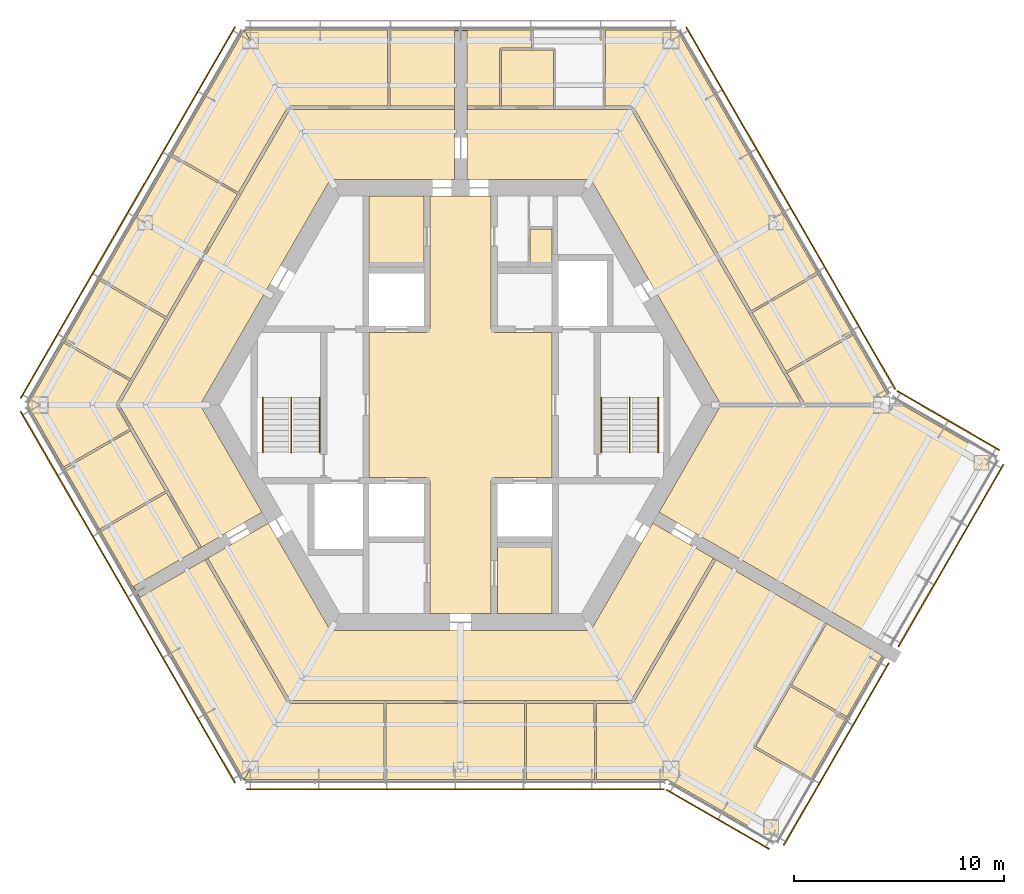
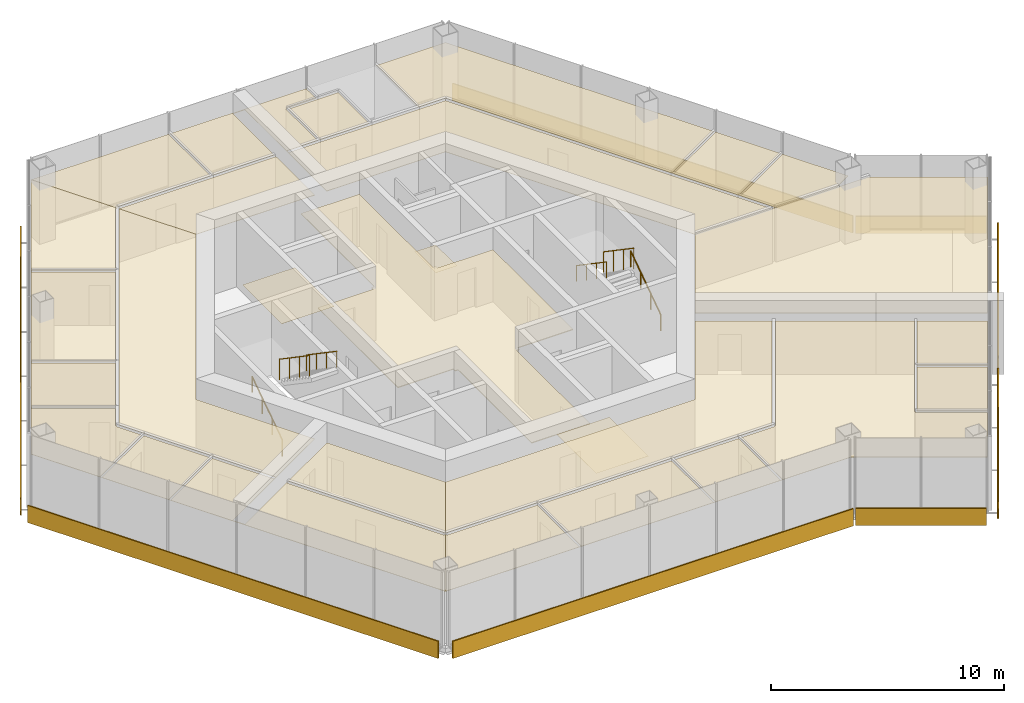
# One storey, part 12 of 13: 30 coverings, 8 shading devices, 6 railings.
"""IFC4 building model written with IfcOpenShell, lengths in metres."""

from ifc_helpers import new_model, si_unit, direction, frame, origin, origin_2d, place, context, subcontext, project, spatial, polyline, rectangle, circle, outline, extrude, material, layer, layer_set, type_object, element, save


model = new_model("IFC4")

# Units and contexts
model_context = context("Model", 3, precision=1e-05, world=origin(), true_north=direction((0.0, 1.0)))
body_context = subcontext(model_context, "Body", "Model", "MODEL_VIEW")
ifc_project = project(units=[si_unit("LENGTHUNIT", "METRE"), si_unit("AREAUNIT", "SQUARE_METRE"), si_unit("VOLUMEUNIT", "CUBIC_METRE"), si_unit("PLANEANGLEUNIT", "RADIAN"), si_unit("MASSUNIT", "GRAM", prefix="KILO")], contexts=[model_context])

# Site, building, storey
site_placement = place(None, origin())
site = spatial("IfcSite", under=ifc_project, at=site_placement, CompositionType="ELEMENT")
building_placement = place(site_placement, origin())
building = spatial("IfcBuilding", under=site, at=building_placement, Name="Kasaneha Research Tower", CompositionType="ELEMENT")
storey_placement = place(building_placement, frame((0.0, 0.0, 290.800048828125)))
storey = spatial("IfcBuildingStorey", under=building, at=storey_placement, Name="L73", CompositionType="ELEMENT", Elevation=290.800048828125)

# Covering
ifc_material_1 = material(Name="Aluminium panel ceiling", Category="aluminium")
ifc_layer_1 = layer(ifc_material_1, 0.0400390625)
ifc_layer_set_1 = layer_set([ifc_layer_1], Name="Lift lobby ceiling 40")
covering_type_1 = type_object("IfcCoveringType", Name="Lift lobby ceiling 40", PredefinedType="CEILING", material=ifc_layer_set_1)
covering_1_placement = place(storey_placement, frame((0.0, 0.0, 2.699951171875)))
element("IfcCovering", 1, at=covering_1_placement, inside=storey, type_object=covering_type_1, Name="Ceiling L73-01", PredefinedType="CEILING", context=body_context, shape_type="SweptSolid", body=[
    extrude(outline(polyline([(1.449951171875, 9.925048828125), (1.449951171875, 3.60009765625), (1.60009765625, 3.60009765625), (1.60009765625, 3.449951171875), (4.35009765625, 3.449951171875), (4.35009765625, -3.449951171875), (1.60009765625, -3.449951171875), (1.60009765625, -3.60009765625), (1.449951171875, -3.60009765625), (1.449951171875, -9.925048828125), (-1.449951171875, -9.925048828125), (-1.449951171875, -3.60009765625), (-1.60009765625, -3.60009765625), (-1.60009765625, -3.449951171875), (-4.35009765625, -3.449951171875), (-4.35009765625, 3.449951171875), (-1.60009765625, 3.449951171875), (-1.60009765625, 3.60009765625), (-1.449951171875, 3.60009765625), (-1.449951171875, 9.925048828125), (1.449951171875, 9.925048828125)])), origin(), (0.0, 0.0, 1.0), 0.0400390625),
])

# Railings
ifc_material_2 = material(Name="Steel", Category="steel")
railing_type_1 = type_object("IfcRailingType", Name="Stair balustrade 1100", PredefinedType="GUARDRAIL", material=ifc_material_2)
for number, where, name in (
    (2, (8.050048828125, 0.35009765625, 2.127197265625), "Stair 1 balustrade L73"),
    (3, (-8.050048828125, 0.35009765625, 2.127197265625), "Stair 2 balustrade L73"),
):
    element("IfcRailing", number, at=place(storey_placement, frame(where)), inside=storey, type_object=railing_type_1, Name=name, PredefinedType="GUARDRAIL", context=body_context, shape_type="SweptSolid", body=[
        extrude(circle(Radius=0.02392578125, at=origin_2d()), frame((0.0, 0.0, 1.076171875), z_axis=(0.0, -0.826240473404, 0.563317565952), x_axis=(1.0, 0.0, 0.0)), (0.0, 0.0, 1.0), 3.14697265625),
        extrude(circle(Radius=0.02099609375, at=origin_2d()), origin(), (0.0, 0.0, 1.0), 1.052001953125),
        extrude(circle(Radius=0.02099609375, at=origin_2d()), frame((0.0, -0.86669921875, 0.5908203125)), (0.0, 0.0, 1.0), 1.052001953125),
        extrude(circle(Radius=0.02099609375, at=origin_2d()), frame((0.0, -1.7333984375, 1.181884765625)), (0.0, 0.0, 1.0), 1.052001953125),
        extrude(circle(Radius=0.02099609375, at=origin_2d()), frame((0.0, -2.60009765625, 1.772705078125)), (0.0, 0.0, 1.0), 1.052001953125),
    ])
ifc_material_3 = material(Name="Steel", Category="steel")
railing_type_2 = type_object("IfcRailingType", Name="Stair handrail 850", PredefinedType="HANDRAIL", material=ifc_material_3)
railing_1_placement = place(storey_placement, frame((9.39990234375, -2.25, 0.17724609375)))
element("IfcRailing", 4, at=railing_1_placement, inside=storey, type_object=railing_type_2, Name="Stair 1 handrail L73", PredefinedType="HANDRAIL", context=body_context, shape_type="SweptSolid", body=[
    extrude(circle(Radius=0.02392578125, at=origin_2d()), frame((0.0, 0.0, 0.826171875), z_axis=(0.0, 0.826240473404, 0.563317565952), x_axis=(-1.0, 0.0, 0.0)), (0.0, 0.0, 1.0), 3.14697265625),
    extrude(circle(Radius=0.02099609375, at=origin_2d()), origin(), (0.0, 0.0, 1.0), 0.802001953125),
    extrude(circle(Radius=0.02099609375, at=origin_2d()), frame((0.0, 0.86669921875, 0.5908203125)), (0.0, 0.0, 1.0), 0.802001953125),
    extrude(circle(Radius=0.02099609375, at=origin_2d()), frame((0.0, 1.7333984375, 1.181884765625)), (0.0, 0.0, 1.0), 0.802001953125),
    extrude(circle(Radius=0.02099609375, at=origin_2d()), frame((0.0, 2.60009765625, 1.772705078125)), (0.0, 0.0, 1.0), 0.802001953125),
])
railing_2_placement = place(storey_placement, frame((6.699951171875, 0.35009765625, 2.127197265625)))
element("IfcRailing", 5, at=railing_2_placement, inside=storey, type_object=railing_type_2, Name="Stair 1 handrail L73", PredefinedType="HANDRAIL", context=body_context, shape_type="SweptSolid", body=[
    extrude(circle(Radius=0.02392578125, at=origin_2d()), frame((0.0, 0.0, 0.826171875), z_axis=(0.0, -0.826240473404, 0.563317565952), x_axis=(1.0, 0.0, 0.0)), (0.0, 0.0, 1.0), 3.14697265625),
    extrude(circle(Radius=0.02099609375, at=origin_2d()), origin(), (0.0, 0.0, 1.0), 0.802001953125),
    extrude(circle(Radius=0.02099609375, at=origin_2d()), frame((0.0, -0.86669921875, 0.5908203125)), (0.0, 0.0, 1.0), 0.802001953125),
    extrude(circle(Radius=0.02099609375, at=origin_2d()), frame((0.0, -1.7333984375, 1.181884765625)), (0.0, 0.0, 1.0), 0.802001953125),
    extrude(circle(Radius=0.02099609375, at=origin_2d()), frame((0.0, -2.60009765625, 1.772705078125)), (0.0, 0.0, 1.0), 0.802001953125),
])
railing_3_placement = place(storey_placement, frame((-9.39990234375, -2.25, 0.17724609375)))
element("IfcRailing", 6, at=railing_3_placement, inside=storey, type_object=railing_type_2, Name="Stair 2 handrail L73", PredefinedType="HANDRAIL", context=body_context, shape_type="SweptSolid", body=[
    extrude(circle(Radius=0.02392578125, at=origin_2d()), frame((0.0, 0.0, 0.826171875), z_axis=(0.0, 0.826240473404, 0.563317565952), x_axis=(-1.0, 0.0, 0.0)), (0.0, 0.0, 1.0), 3.14697265625),
    extrude(circle(Radius=0.02099609375, at=origin_2d()), origin(), (0.0, 0.0, 1.0), 0.802001953125),
    extrude(circle(Radius=0.02099609375, at=origin_2d()), frame((0.0, 0.86669921875, 0.5908203125)), (0.0, 0.0, 1.0), 0.802001953125),
    extrude(circle(Radius=0.02099609375, at=origin_2d()), frame((0.0, 1.7333984375, 1.181884765625)), (0.0, 0.0, 1.0), 0.802001953125),
    extrude(circle(Radius=0.02099609375, at=origin_2d()), frame((0.0, 2.60009765625, 1.772705078125)), (0.0, 0.0, 1.0), 0.802001953125),
])
railing_4_placement = place(storey_placement, frame((-6.699951171875, 0.35009765625, 2.127197265625)))
element("IfcRailing", 7, at=railing_4_placement, inside=storey, type_object=railing_type_2, Name="Stair 2 handrail L73", PredefinedType="HANDRAIL", context=body_context, shape_type="SweptSolid", body=[
    extrude(circle(Radius=0.02392578125, at=origin_2d()), frame((0.0, 0.0, 0.826171875), z_axis=(0.0, -0.826240473404, 0.563317565952), x_axis=(1.0, 0.0, 0.0)), (0.0, 0.0, 1.0), 3.14697265625),
    extrude(circle(Radius=0.02099609375, at=origin_2d()), origin(), (0.0, 0.0, 1.0), 0.802001953125),
    extrude(circle(Radius=0.02099609375, at=origin_2d()), frame((0.0, -0.86669921875, 0.5908203125)), (0.0, 0.0, 1.0), 0.802001953125),
    extrude(circle(Radius=0.02099609375, at=origin_2d()), frame((0.0, -1.7333984375, 1.181884765625)), (0.0, 0.0, 1.0), 0.802001953125),
    extrude(circle(Radius=0.02099609375, at=origin_2d()), frame((0.0, -2.60009765625, 1.772705078125)), (0.0, 0.0, 1.0), 0.802001953125),
])

# Coverings
ifc_material_4 = material(Name="Gypsum ceiling board", Category="gypsum")
ifc_layer_2 = layer(ifc_material_4, 0.02001953125)
ifc_layer_set_2 = layer_set([ifc_layer_2], Name="Suspended ceiling 20")
covering_type_2 = type_object("IfcCoveringType", Name="Suspended ceiling 20", PredefinedType="CEILING", material=ifc_layer_set_2)
covering_2_placement = place(storey_placement, frame((0.0, 0.0, 2.800048828125)))
element("IfcCovering", 8, at=covering_2_placement, inside=storey, type_object=covering_type_2, Name="Ceiling L73-24", PredefinedType="CEILING", context=body_context, shape_type="SweptSolid", body=[
    extrude(outline(polyline([(6.192138671875, 10.72509765625), (0.300048828125, 10.72509765625), (0.300048828125, 11.72509765625), (0.300048828125, 12.72509765625), (0.300048828125, 14.125), (0.320068359375, 14.125), (0.320068359375, 14.050048828125), (1.89501953125, 14.050048828125), (1.905029296875, 14.050048828125), (4.4599609375, 14.050048828125), (4.469970703125, 14.050048828125), (6.826416015625, 14.050048828125), (6.8359375, 14.050048828125), (8.11181640625, 14.050048828125), (13.70849609375, 4.356201171875), (13.70849609375, 4.356201171875), (15.374267578125, 1.470947265625), (15.374267578125, 1.470947265625), (16.2236328125, 0.0), (12.38427734375, 0.0), (6.192138671875, 10.72509765625)])), origin(), (0.0, 0.0, 1.0), 0.02001953125),
])
covering_3_placement = place(storey_placement, frame((0.0, 0.0, 2.800048828125)))
element("IfcCovering", 9, at=covering_3_placement, inside=storey, type_object=covering_type_2, Name="Ceiling L73-25", PredefinedType="CEILING", context=body_context, shape_type="SweptSolid", body=[
    extrude(outline(polyline([(4.41015625, 14.199951171875), (1.954833984375, 14.199951171875), (1.9501953125, 16.875), (3.410400390625, 16.875), (3.42041015625, 16.875), (4.414794921875, 16.875), (4.41015625, 14.199951171875)])), origin(), (0.0, 0.0, 1.0), 0.02001953125),
])
covering_4_placement = place(storey_placement, frame((0.0, 0.0, 2.800048828125)))
element("IfcCovering", 10, at=covering_4_placement, inside=storey, type_object=covering_type_2, Name="Ceiling L73-26", PredefinedType="CEILING", context=body_context, shape_type="SweptSolid", body=[
    extrude(outline(polyline([(18.619873046875, 3.3505859375), (18.594970703125, 3.393798828125), (15.474365234375, 1.597900390625), (13.863525390625, 4.387939453125), (16.988037109375, 6.197021484375), (16.963134765625, 6.240234375), (16.9716796875, 6.2451171875), (18.63720703125, 3.360595703125), (18.619873046875, 3.3505859375)])), origin(), (0.0, 0.0, 1.0), 0.02001953125),
])
covering_5_placement = place(storey_placement, frame((0.0, 0.0, 2.800048828125)))
element("IfcCovering", 11, at=covering_5_placement, inside=storey, type_object=covering_type_2, Name="Ceiling L73-28", PredefinedType="CEILING", context=body_context, shape_type="SweptSolid", body=[
    extrude(outline(polyline([(3.41552734375, 17.820556640625), (3.41552734375, 17.800537109375), (3.365478515625, 17.80029296875), (3.3701171875, 16.97509765625), (1.89990234375, 16.97509765625), (1.89990234375, 16.925048828125), (1.85009765625, 16.9248046875), (1.85498046875, 14.199951171875), (0.320068359375, 14.199951171875), (0.320068359375, 14.125), (0.300048828125, 14.125), (0.300048828125, 17.7705078125), (0.300048828125, 17.7705078125), (0.0, 17.7705078125), (0.0, 17.820556640625), (3.41552734375, 17.820556640625)])), origin(), (0.0, 0.0, 1.0), 0.02001953125),
])
covering_6_placement = place(storey_placement, frame((0.0, 0.0, 2.800048828125)))
element("IfcCovering", 12, at=covering_6_placement, inside=storey, type_object=covering_type_2, Name="Ceiling L73-29", PredefinedType="CEILING", context=body_context, shape_type="SweptSolid", body=[
    extrude(outline(polyline([(20.28759765625, 0.501708984375), (19.41845703125, 0.0), (16.31005859375, 0.0), (16.298583984375, 0.02001953125), (16.363525390625, 0.0576171875), (15.5244140625, 1.51123046875), (18.644775390625, 3.30712890625), (18.619873046875, 3.3505859375), (18.63720703125, 3.360595703125), (20.28759765625, 0.501708984375)])), origin(), (0.0, 0.0, 1.0), 0.02001953125),
])
covering_7_placement = place(storey_placement, frame((0.0, 0.0, 2.800048828125)))
element("IfcCovering", 13, at=covering_7_placement, inside=storey, type_object=covering_type_2, Name="Ceiling L73-30", PredefinedType="CEILING", context=body_context, shape_type="SweptSolid", body=[
    extrude(outline(polyline([(16.962890625, 6.24072265625), (16.93798828125, 6.283447265625), (13.8134765625, 4.474365234375), (8.219970703125, 14.16259765625), (8.155517578125, 14.125244140625), (8.155517578125, 14.125244140625), (8.155029296875, 14.125244140625), (8.155029296875, 14.199951171875), (6.876708984375, 14.199951171875), (6.880859375, 17.800537109375), (6.83154296875, 17.800537109375), (6.83154296875, 17.820556640625), (10.28857421875, 17.820556640625), (16.971435546875, 6.24560546875), (16.962890625, 6.24072265625)])), origin(), (0.0, 0.0, 1.0), 0.02001953125),
])
covering_8_placement = place(storey_placement, frame((0.0, 0.0, 2.800048828125)))
element("IfcCovering", 14, at=covering_8_placement, inside=storey, type_object=covering_type_2, Name="Ceiling L73-31", PredefinedType="CEILING", context=body_context, shape_type="SweptSolid", body=[
    extrude(outline(polyline([(-0.300048828125, 11.72509765625), (-0.300048828125, 10.72509765625), (-6.192138671875, 10.72509765625), (-8.11181640625, 14.050048828125), (-8.11181640625, 14.050048828125), (-3.42041015625, 14.050048828125), (-3.410888671875, 14.050048828125), (-0.320068359375, 14.050048828125), (-0.320068359375, 14.125), (-0.300048828125, 14.125), (-0.300048828125, 12.72509765625), (-0.300048828125, 11.72509765625)])), origin(), (0.0, 0.0, 1.0), 0.02001953125),
])
covering_9_placement = place(storey_placement, frame((0.0, 0.0, 2.800048828125)))
element("IfcCovering", 15, at=covering_9_placement, inside=storey, type_object=covering_type_2, Name="Ceiling L73-32", PredefinedType="CEILING", context=body_context, shape_type="SweptSolid", body=[
    extrude(outline(polyline([(0.0, 17.7705078125), (-0.300048828125, 17.7705078125), (-0.300048828125, 17.7705078125), (-0.300048828125, 14.125), (-0.320068359375, 14.125), (-0.320068359375, 14.199951171875), (-3.361083984375, 14.199951171875), (-3.365478515625, 17.800537109375), (-3.41552734375, 17.800537109375), (-3.41552734375, 17.820556640625), (0.0, 17.820556640625), (0.0, 17.7705078125)])), origin(), (0.0, 0.0, 1.0), 0.02001953125),
])
covering_10_placement = place(storey_placement, frame((0.0, 0.0, 2.800048828125)))
element("IfcCovering", 16, at=covering_10_placement, inside=storey, type_object=covering_type_2, Name="Ceiling L73-33", PredefinedType="CEILING", context=body_context, shape_type="SweptSolid", body=[
    extrude(outline(polyline([(-3.416015625, 17.800537109375), (-3.465576171875, 17.800537109375), (-3.461181640625, 14.199951171875), (-8.132080078125, 14.199951171875), (-8.132080078125, 14.12548828125), (-8.1552734375, 14.12548828125), (-10.28857421875, 17.820556640625), (-3.416015625, 17.820556640625), (-3.416015625, 17.800537109375)])), origin(), (0.0, 0.0, 1.0), 0.02001953125),
])
covering_11_placement = place(storey_placement, frame((0.0, 0.0, 2.800048828125)))
element("IfcCovering", 17, at=covering_11_placement, inside=storey, type_object=covering_type_2, Name="Ceiling L73-34", PredefinedType="CEILING", context=body_context, shape_type="SweptSolid", body=[
    extrude(outline(polyline([(-12.38427734375, 0.0), (-9.438232421875, -5.102783203125), (-10.30419921875, -5.602783203125), (-10.30419921875, -5.602783203125), (-11.170166015625, -6.102783203125), (-11.170166015625, -6.102783203125), (-12.382568359375, -6.802734375), (-12.392578125, -6.785400390625), (-12.32763671875, -6.747802734375), (-13.872802734375, -4.0712890625), (-13.872802734375, -4.0712890625), (-15.580810546875, -1.113037109375), (-15.580810546875, -1.113037109375), (-16.223388671875, 0.0), (-15.580810546875, 1.113037109375), (-15.580810546875, 1.113037109375), (-13.872802734375, 4.0712890625), (-13.872802734375, 4.071533203125), (-10.457763671875, 9.98681640625), (-10.457763671875, 9.98681640625), (-8.11181640625, 14.050048828125), (-6.192138671875, 10.72509765625), (-12.38427734375, 0.0)])), origin(), (0.0, 0.0, 1.0), 0.02001953125),
])
covering_12_placement = place(storey_placement, frame((0.0, 0.0, 2.800048828125)))
element("IfcCovering", 18, at=covering_12_placement, inside=storey, type_object=covering_type_2, Name="Ceiling L73-35", PredefinedType="CEILING", context=body_context, shape_type="SweptSolid", body=[
    extrude(outline(polyline([(-8.15478515625, 14.12548828125), (-8.166748046875, 14.10498046875), (-8.2314453125, 14.142578125), (-10.562744140625, 10.10498046875), (-13.691650390625, 11.906494140625), (-13.716552734375, 11.86328125), (-13.725341796875, 11.8681640625), (-10.28857421875, 17.821044921875), (-8.15478515625, 14.12548828125)])), origin(), (0.0, 0.0, 1.0), 0.02001953125),
])
covering_13_placement = place(storey_placement, frame((0.0, 0.0, 2.800048828125)))
element("IfcCovering", 19, at=covering_13_placement, inside=storey, type_object=covering_type_2, Name="Ceiling L73-36", PredefinedType="CEILING", context=body_context, shape_type="SweptSolid", body=[
    extrude(outline(polyline([(-18.83984375, -2.989501953125), (-18.81494140625, -3.03271484375), (-15.685791015625, -1.2314453125), (-14.03271484375, -4.094482421875), (-17.1484375, -5.899169921875), (-17.12353515625, -5.9423828125), (-17.140869140625, -5.952392578125), (-18.848388671875, -2.994384765625), (-18.83984375, -2.989501953125)])), origin(), (0.0, 0.0, 1.0), 0.02001953125),
])
covering_14_placement = place(storey_placement, frame((0.0, 0.0, 2.800048828125)))
element("IfcCovering", 20, at=covering_14_placement, inside=storey, type_object=covering_type_2, Name="Ceiling L73-37", PredefinedType="CEILING", context=body_context, shape_type="SweptSolid", body=[
    extrude(outline(polyline([(-15.539794921875, -8.62548828125), (-15.539794921875, -8.62548828125), (-15.3896484375, -8.88525390625), (-15.43310546875, -8.91015625), (-17.140869140625, -5.952392578125), (-17.12353515625, -5.9423828125), (-17.098388671875, -5.985595703125), (-13.982666015625, -4.18115234375), (-12.45751953125, -6.822998046875), (-12.392578125, -6.785400390625), (-12.382568359375, -6.802734375), (-12.122802734375, -6.652587890625), (-15.539794921875, -8.62548828125), (-15.539794921875, -8.62548828125)])), origin(), (0.0, 0.0, 1.0), 0.02001953125),
])
covering_15_placement = place(storey_placement, frame((0.0, 0.0, 2.800048828125)))
element("IfcCovering", 21, at=covering_15_placement, inside=storey, type_object=covering_type_2, Name="Ceiling L73-38", PredefinedType="CEILING", context=body_context, shape_type="SweptSolid", body=[
    extrude(outline(polyline([(-17.12353515625, 5.9423828125), (-17.1484375, 5.899169921875), (-14.032470703125, 4.094970703125), (-15.685791015625, 1.2314453125), (-18.81494140625, 3.03271484375), (-18.83984375, 2.989501953125), (-18.848388671875, 2.994384765625), (-17.140869140625, 5.952392578125), (-17.12353515625, 5.9423828125)])), origin(), (0.0, 0.0, 1.0), 0.02001953125),
])
covering_16_placement = place(storey_placement, frame((0.0, 0.0, 2.800048828125)))
element("IfcCovering", 22, at=covering_16_placement, inside=storey, type_object=covering_type_2, Name="Ceiling L73-39", PredefinedType="CEILING", context=body_context, shape_type="SweptSolid", body=[
    extrude(outline(polyline([(-17.140380859375, 5.952880859375), (-13.7255859375, 11.86767578125), (-13.716796875, 11.86279296875), (-13.74169921875, 11.81982421875), (-10.612548828125, 10.018310546875), (-13.982421875, 4.181640625), (-17.098388671875, 5.985595703125), (-17.123291015625, 5.94287109375), (-17.140380859375, 5.952880859375)])), origin(), (0.0, 0.0, 1.0), 0.02001953125),
])
covering_17_placement = place(storey_placement, frame((0.0, 0.0, 2.800048828125)))
element("IfcCovering", 23, at=covering_17_placement, inside=storey, type_object=covering_type_2, Name="Ceiling L73-40", PredefinedType="CEILING", context=body_context, shape_type="SweptSolid", body=[
    extrude(outline(polyline([(-18.840087890625, 2.989013671875), (-18.86474609375, 2.9462890625), (-15.73583984375, 1.144775390625), (-16.375, 0.03759765625), (-16.310546875, 0.000244140625), (-16.310546875, 0.0), (-16.310546875, -0.000244140625), (-16.375, -0.03759765625), (-15.73583984375, -1.144775390625), (-18.86474609375, -2.9462890625), (-18.840087890625, -2.989013671875), (-18.8486328125, -2.994140625), (-20.577392578125, 0.0), (-18.8486328125, 2.994140625), (-18.840087890625, 2.989013671875)])), origin(), (0.0, 0.0, 1.0), 0.02001953125),
])
covering_18_placement = place(storey_placement, frame((0.0, 0.0, 2.800048828125)))
element("IfcCovering", 24, at=covering_18_placement, inside=storey, type_object=covering_type_2, Name="Ceiling L73-41", PredefinedType="CEILING", context=body_context, shape_type="SweptSolid", body=[
    extrude(outline(polyline([(-10.8701171875, -6.622314453125), (-10.004150390625, -6.122314453125), (-10.004150390625, -6.122314453125), (-9.13818359375, -5.622314453125), (-6.192138671875, -10.72509765625), (-8.11181640625, -14.050048828125), (-12.007568359375, -7.302001953125), (-12.072509765625, -7.339599609375), (-12.08251953125, -7.322265625), (-10.8701171875, -6.622314453125), (-10.8701171875, -6.622314453125)])), origin(), (0.0, 0.0, 1.0), 0.02001953125),
])
covering_19_placement = place(storey_placement, frame((0.0, 0.0, 2.800048828125)))
element("IfcCovering", 25, at=covering_19_placement, inside=storey, type_object=covering_type_2, Name="Ceiling L73-42", PredefinedType="CEILING", context=body_context, shape_type="SweptSolid", body=[
    extrude(outline(polyline([(-12.072998046875, -7.33984375), (-12.137451171875, -7.377197265625), (-8.2314453125, -14.142578125), (-8.1669921875, -14.105224609375), (-8.1552734375, -14.12548828125), (-10.28857421875, -17.820556640625), (-15.43310546875, -8.91015625), (-15.3896484375, -8.88525390625), (-15.23974609375, -9.14501953125), (-15.23974609375, -9.14501953125), (-15.23974609375, -9.14501953125), (-12.0830078125, -7.322509765625), (-12.072998046875, -7.33984375)])), origin(), (0.0, 0.0, 1.0), 0.02001953125),
])
covering_20_placement = place(storey_placement, frame((0.0, 0.0, 2.800048828125)))
element("IfcCovering", 26, at=covering_20_placement, inside=storey, type_object=covering_type_2, Name="Ceiling L73-43", PredefinedType="CEILING", context=body_context, shape_type="SweptSolid", body=[
    extrude(outline(polyline([(11.170166015625, -6.102783203125), (10.30419921875, -5.602783203125), (10.227783203125, -5.55859375), (9.438232421875, -5.102783203125), (12.38427734375, 0.0), (16.2236328125, 0.0), (16.233642578125, -0.017578125), (16.263916015625, 0.0), (21.0, 0.0), (25.446044921875, -2.56689453125), (20.34619140625, -11.400390625), (12.1259765625, -6.654541015625), (11.170166015625, -6.102783203125)])), origin(), (0.0, 0.0, 1.0), 0.02001953125),
])
covering_21_placement = place(storey_placement, frame((0.0, 0.0, 2.800048828125)))
element("IfcCovering", 27, at=covering_21_placement, inside=storey, type_object=covering_type_2, Name="Ceiling L73-44", PredefinedType="CEILING", context=body_context, shape_type="SweptSolid", body=[
    extrude(outline(polyline([(-6.192138671875, -10.72509765625), (6.192138671875, -10.72509765625), (9.13818359375, -5.622314453125), (10.004150390625, -6.122314453125), (10.004150390625, -6.122314453125), (10.8701171875, -6.622314453125), (10.8701171875, -6.622314453125), (12.08251953125, -7.322265625), (12.072509765625, -7.339599609375), (12.007568359375, -7.302001953125), (8.11181640625, -14.050048828125), (6.413330078125, -14.050048828125), (6.40380859375, -14.050048828125), (3.081787109375, -14.050048828125), (3.072509765625, -14.050048828125), (-3.57958984375, -14.050048828125), (-3.589111328125, -14.050048828125), (-8.11181640625, -14.050048828125), (-8.11181640625, -14.050048828125), (-6.192138671875, -10.72509765625)])), origin(), (0.0, 0.0, 1.0), 0.02001953125),
])
covering_22_placement = place(storey_placement, frame((0.0, 0.0, 2.800048828125)))
element("IfcCovering", 28, at=covering_22_placement, inside=storey, type_object=covering_type_2, Name="Ceiling L73-45", PredefinedType="CEILING", context=body_context, shape_type="SweptSolid", body=[
    extrude(outline(polyline([(3.077392578125, -17.800537109375), (3.12744140625, -17.800537109375), (3.131591796875, -14.199951171875), (6.35400390625, -14.199951171875), (6.3583984375, -17.800537109375), (6.408203125, -17.800537109375), (6.408203125, -17.820556640625), (3.077392578125, -17.820556640625), (3.077392578125, -17.800537109375)])), origin(), (0.0, 0.0, 1.0), 0.02001953125),
])
covering_23_placement = place(storey_placement, frame((0.0, 0.0, 2.800048828125)))
element("IfcCovering", 29, at=covering_23_placement, inside=storey, type_object=covering_type_2, Name="Ceiling L73-46", PredefinedType="CEILING", context=body_context, shape_type="SweptSolid", body=[
    extrude(outline(polyline([(-8.15576171875, -14.125), (-8.132080078125, -14.125), (-8.132080078125, -14.199951171875), (-3.638916015625, -14.199951171875), (-3.634521484375, -17.800537109375), (-3.58447265625, -17.800537109375), (-3.58447265625, -17.820556640625), (-10.2890625, -17.820556640625), (-8.15576171875, -14.125)])), origin(), (0.0, 0.0, 1.0), 0.02001953125),
])
covering_24_placement = place(storey_placement, frame((0.0, 0.0, 2.800048828125)))
element("IfcCovering", 30, at=covering_24_placement, inside=storey, type_object=covering_type_2, Name="Ceiling L73-47", PredefinedType="CEILING", context=body_context, shape_type="SweptSolid", body=[
    extrude(outline(polyline([(16.646240234375, -17.80908203125), (16.62890625, -17.799072265625), (16.65380859375, -17.755615234375), (14.02978515625, -16.24072265625), (15.68115234375, -13.389404296875), (18.303955078125, -14.89794921875), (18.328857421875, -14.8544921875), (18.34619140625, -14.864501953125), (16.646240234375, -17.80908203125)])), origin(), (0.0, 0.0, 1.0), 0.02001953125),
])
covering_25_placement = place(storey_placement, frame((0.0, 0.0, 2.800048828125)))
element("IfcCovering", 31, at=covering_25_placement, inside=storey, type_object=covering_type_2, Name="Ceiling L73-48", PredefinedType="CEILING", context=body_context, shape_type="SweptSolid", body=[
    extrude(outline(polyline([(18.34619140625, -14.864501953125), (18.328857421875, -14.8544921875), (18.353759765625, -14.811279296875), (15.731201171875, -13.302734375), (17.394775390625, -10.412353515625), (17.3515625, -10.387451171875), (17.361572265625, -10.3701171875), (20.046142578125, -11.920166015625), (18.34619140625, -14.864501953125)])), origin(), (0.0, 0.0, 1.0), 0.02001953125),
])
covering_26_placement = place(storey_placement, frame((0.0, 0.0, 2.800048828125)))
element("IfcCovering", 32, at=covering_26_placement, inside=storey, type_object=covering_type_2, Name="Ceiling L73-49", PredefinedType="CEILING", context=body_context, shape_type="SweptSolid", body=[
    extrude(outline(polyline([(13.96142578125, -16.25927734375), (13.9365234375, -16.30224609375), (16.603759765625, -17.84228515625), (16.62841796875, -17.799560546875), (16.64599609375, -17.8095703125), (14.946044921875, -20.75341796875), (9.865966796875, -17.820556640625), (6.40869140625, -17.820556640625), (6.40869140625, -17.800537109375), (6.458251953125, -17.800537109375), (6.453857421875, -14.199951171875), (8.155029296875, -14.199951171875), (8.155029296875, -14.125244140625), (8.155517578125, -14.125244140625), (8.155517578125, -14.125244140625), (8.219970703125, -14.16259765625), (12.137451171875, -7.377197265625), (12.072998046875, -7.33984375), (12.0830078125, -7.322509765625), (17.361083984375, -10.369873046875), (17.35107421875, -10.38720703125), (17.30810546875, -10.362548828125), (15.6220703125, -13.291748046875), (13.918212890625, -16.23388671875), (13.961181640625, -16.2587890625), (13.9609375, -16.259033203125), (13.96142578125, -16.25927734375)])), origin(), (0.0, 0.0, 1.0), 0.02001953125),
])
covering_27_placement = place(storey_placement, frame((0.0, 0.0, 2.800048828125)))
element("IfcCovering", 33, at=covering_27_placement, inside=storey, type_object=covering_type_2, Name="Ceiling L73-50", PredefinedType="CEILING", context=body_context, shape_type="SweptSolid", body=[
    extrude(outline(polyline([(3.076904296875, -17.820556640625), (-3.583984375, -17.820556640625), (-3.583984375, -17.800537109375), (-3.534423828125, -17.800537109375), (-3.538818359375, -14.199951171875), (3.03173828125, -14.199951171875), (3.02734375, -17.800537109375), (3.076904296875, -17.800537109375), (3.076904296875, -17.820556640625)])), origin(), (0.0, 0.0, 1.0), 0.02001953125),
])

# Shading devices
ifc_material_5 = material(Name="Terracotta", Category="masonry")
ifc_layer_3 = layer(ifc_material_5, 0.06005859375)
ifc_layer_set_3 = layer_set([ifc_layer_3], Name="Terracotta baguette screen")
shading_device_type = type_object("IfcShadingDeviceType", Name="Terracotta baguette screen", PredefinedType="USERDEFINED", material=ifc_layer_set_3)
shading_device_1_placement = place(storey_placement, frame((15.696044921875, 9.35498046875, -0.449951171875), z_axis=(0.0, 0.0, 1.0), x_axis=(-0.499999979232, 0.866025415775, 0.0)))
element("IfcShadingDevice", 34, at=shading_device_1_placement, inside=storey, type_object=shading_device_type, Name="Baguette screen L73 01", ObjectType="TERRACOTTA BAGUETTE SCREEN", PredefinedType="USERDEFINED", context=body_context, shape_type="SweptSolid", body=[
    extrude(rectangle(XDim=19.8857421875, YDim=0.06005859375, at=origin_2d()), origin(), (0.0, 0.0, 1.0), 0.89990234375),
])
for number, where, z_axis, x_axis, name in (
    (35, (-15.82275390625, 9.13525390625, -0.449951171875), (0.0, 0.0, 1.0), (-0.499999995722, -0.866025406254, 0.0), "Baguette screen L73 03"),
    (36, (-15.82275390625, -9.13525390625, -0.449951171875), (0.0, 0.0, 1.0), (0.499999995722, -0.866025406254, 0.0), "Baguette screen L73 04"),
):
    element("IfcShadingDevice", number, at=place(storey_placement, frame(where, z_axis=z_axis, x_axis=x_axis)), inside=storey, type_object=shading_device_type, Name=name, ObjectType="TERRACOTTA BAGUETTE SCREEN", PredefinedType="USERDEFINED", context=body_context, shape_type="SweptSolid", body=[
        extrude(rectangle(XDim=20.392822265625, YDim=0.06005859375, at=origin_2d()), origin(), (0.0, 0.0, 1.0), 0.89990234375),
    ])
shading_device_2_placement = place(storey_placement, frame((-0.253662109375, -18.2705078125, -0.449951171875), z_axis=(0.0, 0.0, 1.0), x_axis=(1.0, 0.0, 0.0)))
element("IfcShadingDevice", 37, at=shading_device_2_placement, inside=storey, type_object=shading_device_type, Name="Baguette screen L73 05", ObjectType="TERRACOTTA BAGUETTE SCREEN", PredefinedType="USERDEFINED", context=body_context, shape_type="SweptSolid", body=[
    extrude(rectangle(XDim=19.8857421875, YDim=0.06005859375, at=origin_2d()), origin(), (0.0, 0.0, 1.0), 0.89990234375),
])
shading_device_3_placement = place(storey_placement, frame((12.236083984375, -19.70849609375, -0.449951171875), z_axis=(0.0, 0.0, 1.0), x_axis=(0.866025443395, -0.499999931393, 0.0)))
element("IfcShadingDevice", 38, at=shading_device_3_placement, inside=storey, type_object=shading_device_type, Name="Baguette screen L73 06", ObjectType="TERRACOTTA BAGUETTE SCREEN", PredefinedType="USERDEFINED", context=body_context, shape_type="SweptSolid", body=[
    extrude(rectangle(XDim=5.63916015625, YDim=0.06005859375, at=origin_2d()), origin(), (0.0, 0.0, 1.0), 0.89990234375),
])
for number, where, z_axis, x_axis, name in (
    (39, (17.86083984375, -16.60498046875, -0.449951171875), (0.0, 0.0, 1.0), (0.500000011442, 0.866025397178, 0.0), "Baguette screen L73 07"),
    (40, (23.310791015625, -7.16552734375, -0.449951171875), (0.0, 0.0, 1.0), (0.500000011442, 0.866025397178, 0.0), "Baguette screen L73 08"),
):
    element("IfcShadingDevice", number, at=place(storey_placement, frame(where, z_axis=z_axis, x_axis=x_axis)), inside=storey, type_object=shading_device_type, Name=name, ObjectType="TERRACOTTA BAGUETTE SCREEN", PredefinedType="USERDEFINED", context=body_context, shape_type="SweptSolid", body=[
        extrude(rectangle(XDim=10.0, YDim=0.06005859375, at=origin_2d()), origin(), (0.0, 0.0, 1.0), 0.89990234375),
    ])
shading_device_4_placement = place(storey_placement, frame((23.18603515625, -0.742431640625, -0.449951171875), z_axis=(0.0, 0.0, 1.0), x_axis=(-0.866025443395, 0.499999931393, 0.0)))
element("IfcShadingDevice", 41, at=shading_device_4_placement, inside=storey, type_object=shading_device_type, Name="Baguette screen L73 09", ObjectType="TERRACOTTA BAGUETTE SCREEN", PredefinedType="USERDEFINED", context=body_context, shape_type="SweptSolid", body=[
    extrude(rectangle(XDim=5.63916015625, YDim=0.06005859375, at=origin_2d()), origin(), (0.0, 0.0, 1.0), 0.89990234375),
])

# Coverings
ifc_material_6 = material(Name="Vinyl sheet flooring", Category="plastic")
ifc_layer_4 = layer(ifc_material_6, 0.0048828125)
ifc_layer_set_4 = layer_set([ifc_layer_4], Name="Wet room sheet flooring 5")
covering_type_3 = type_object("IfcCoveringType", Name="Wet room sheet flooring 5", PredefinedType="FLOORING", material=ifc_layer_set_4)
covering_28_placement = place(storey_placement, origin())
element("IfcCovering", 42, at=covering_28_placement, inside=storey, type_object=covering_type_3, Name="Floor finish L73-06", PredefinedType="FLOORING", context=body_context, shape_type="SweptSolid", body=[
    extrude(outline(polyline([(-1.75, 9.925048828125), (-1.75, 6.550048828125), (-4.35009765625, 6.550048828125), (-4.35009765625, 9.925048828125), (-1.75, 9.925048828125)])), origin(), (0.0, 0.0, 1.0), 0.0048828125),
])
covering_29_placement = place(storey_placement, origin())
element("IfcCovering", 43, at=covering_29_placement, inside=storey, type_object=covering_type_3, Name="Floor finish L73-08", PredefinedType="FLOORING", context=body_context, shape_type="SweptSolid", body=[
    extrude(outline(polyline([(3.300048828125, 6.550048828125), (3.300048828125, 8.375), (4.35009765625, 8.375), (4.35009765625, 7.0), (4.35009765625, 6.550048828125), (3.300048828125, 6.550048828125)])), origin(), (0.0, 0.0, 1.0), 0.0048828125),
])
covering_30_placement = place(storey_placement, origin())
element("IfcCovering", 44, at=covering_30_placement, inside=storey, type_object=covering_type_3, Name="Floor finish L73-11", PredefinedType="FLOORING", context=body_context, shape_type="SweptSolid", body=[
    extrude(outline(polyline([(1.75, -9.925048828125), (1.75, -6.550048828125), (4.35009765625, -6.550048828125), (4.35009765625, -9.925048828125), (1.75, -9.925048828125)])), origin(), (0.0, 0.0, 1.0), 0.0048828125),
])

save(model, "model.ifc")
